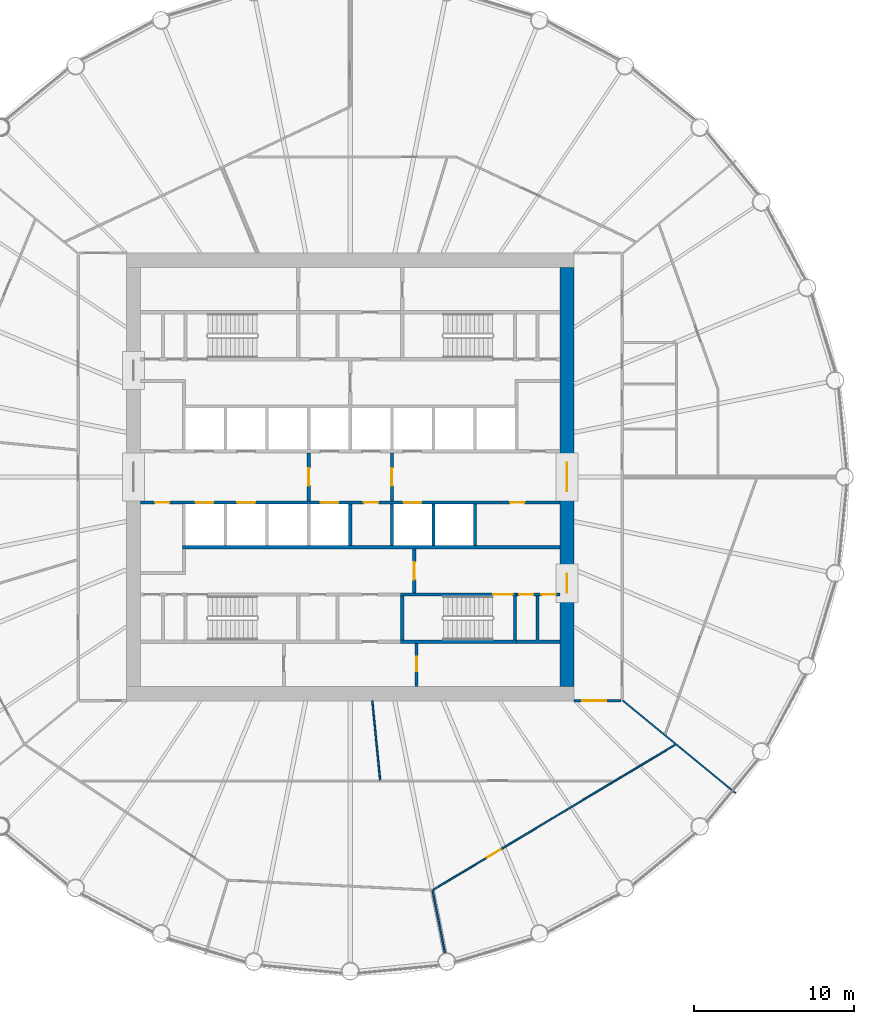
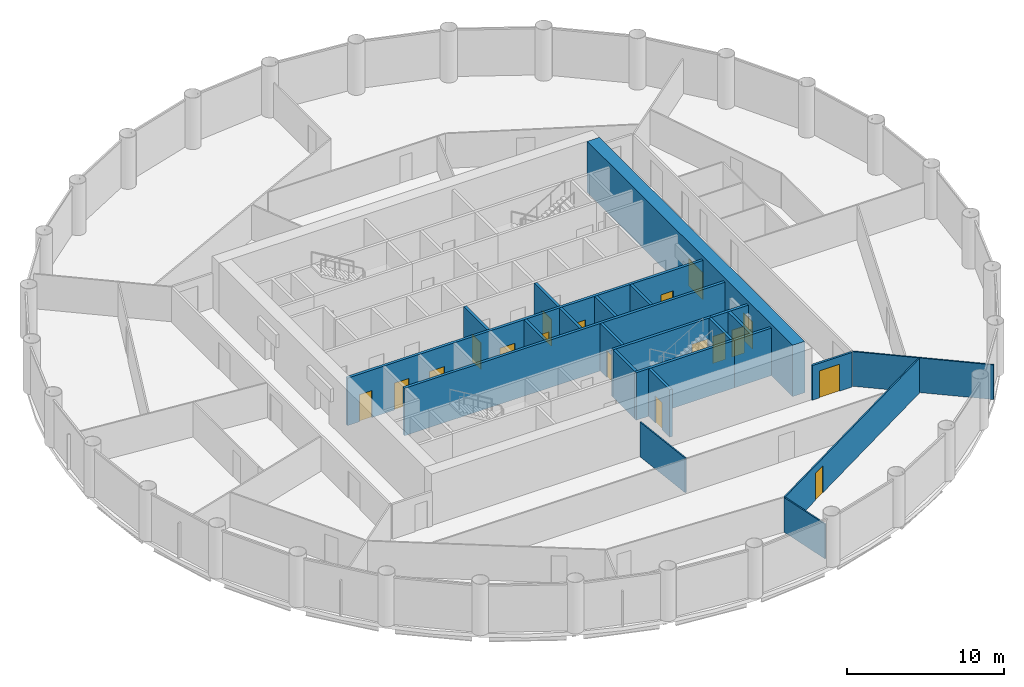
# One storey, part 5 of 9: 22 walls, 18 doors, 18 openings.
"""IFC4 building model written with IfcOpenShell, lengths in metres."""

import ifcopenshell
import ifcopenshell.guid

model = None  # the IFC model being written
_history = None  # IfcOwnerHistory: only IFC2X3 demands one
_inside = {}  # id of a spatial element -> (the spatial element, [elements in it])
_under = {}  # id of a project, library or spatial element -> (it, [spatial elements below it])
_declared = {}  # id of a project -> (the project, [libraries it declares])
_typed = {}  # id of a type object -> (the type object, [elements of that type])
_made_of = {}  # id of a material, layer set ... -> (it, [elements and type objects made of it])


def new_model(schema):
    """Start an empty IFC model of exactly this schema.

    Asked for "IFC4X3", IfcOpenShell would pick the latest addendum, in which some entities
    have other attributes; the version numbers below select the first issue.
    IFC2X3 requires an IfcOwnerHistory on every rooted entity: one is made here for all.
    """
    global model, _history
    if schema == "IFC4X3":
        model = ifcopenshell.file(schema_version=(4, 3, 0, 0))
    else:
        model = ifcopenshell.file(schema=schema)
    _inside.clear()
    _under.clear()
    _declared.clear()
    _typed.clear()
    _made_of.clear()
    _history = None
    if model.schema == "IFC2X3":
        org = make("IfcOrganization", Name="unknown")
        user = make(
            "IfcPersonAndOrganization",
            ThePerson=make("IfcPerson", FamilyName="unknown"),
            TheOrganization=org,
        )
        app = make(
            "IfcApplication",
            ApplicationDeveloper=org,
            Version="unknown",
            ApplicationFullName="unknown",
            ApplicationIdentifier="unknown",
        )
        _history = make(
            "IfcOwnerHistory",
            OwningUser=user,
            OwningApplication=app,
            ChangeAction="ADDED",
            CreationDate=0,
        )
    return model


def make(cls, **values):
    """One entity of the class cls with the attributes given. An attribute that is None is left unset."""
    return model.create_entity(
        cls, **{name: value for name, value in values.items() if value is not None}
    )


def rooted(cls, **values):
    """An entity with a GlobalId (a new one), such as an element, a storey or a relation."""
    return make(cls, GlobalId=ifcopenshell.guid.new(), OwnerHistory=_history, **values)


def si_unit(unit_type, name, prefix=None):
    """IfcSIUnit, for example si_unit("LENGTHUNIT", "METRE", prefix="MILLI")."""
    return make("IfcSIUnit", UnitType=unit_type, Prefix=prefix, Name=name)


def assignment(units):
    """IfcUnitAssignment: the units of a project."""
    return None if units is None else make("IfcUnitAssignment", Units=units)


def point(xyz):
    """IfcCartesianPoint."""
    return None if xyz is None else make("IfcCartesianPoint", Coordinates=xyz)


def direction(xyz):
    """IfcDirection."""
    return None if xyz is None else make("IfcDirection", DirectionRatios=xyz)


def frame(location, z_axis=None, x_axis=None):
    """IfcAxis2Placement3D, a coordinate frame: its origin and axes. An axis left out is left unset."""
    return make(
        "IfcAxis2Placement3D",
        Location=point(location),
        Axis=direction(z_axis),
        RefDirection=direction(x_axis),
    )


def frame_2d(location, x_axis=None):
    """IfcAxis2Placement2D, a coordinate frame in the plane: its origin and x axis."""
    return make(
        "IfcAxis2Placement2D", Location=point(location), RefDirection=direction(x_axis)
    )


def origin():
    """The frame at (0, 0, 0) with its axes left unset."""
    return frame((0.0, 0.0, 0.0))


def place(relative_to, where):
    """IfcLocalPlacement: puts the frame where relative to a parent placement (None: the world)."""
    return make(
        "IfcLocalPlacement", PlacementRelTo=relative_to, RelativePlacement=where
    )


def context(
    kind, dimensions, precision=None, world=None, true_north=None, identifier=None
):
    """IfcGeometricRepresentationContext, for example the 3D "Model" context."""
    return make(
        "IfcGeometricRepresentationContext",
        ContextIdentifier=identifier,
        ContextType=kind,
        CoordinateSpaceDimension=dimensions,
        Precision=precision,
        WorldCoordinateSystem=world,
        TrueNorth=true_north,
    )


def subcontext(parent, identifier, kind, view, scale=None):
    """IfcGeometricRepresentationSubContext, for example "Body" below "Model"."""
    return make(
        "IfcGeometricRepresentationSubContext",
        ContextIdentifier=identifier,
        ContextType=kind,
        ParentContext=parent,
        TargetScale=scale,
        TargetView=view,
    )


def project(units=None, contexts=None):
    """IfcProject with its units and contexts."""
    return rooted(
        "IfcProject",
        Name="project",
        RepresentationContexts=contexts,
        UnitsInContext=assignment(units),
    )


def spatial(cls, under=None, at=None, **own):
    """A site, building, storey or space (cls), placed at a placement, below another one or the project."""
    s = rooted(cls, ObjectPlacement=at, **own)
    if under is not None:
        _under.setdefault(under.id(), (under, []))[1].append(s)
    return s


def polyline(points):
    """IfcPolyline through the points."""
    return make("IfcPolyline", Points=[point(p) for p in points])


def profile(cls, at=None, kind="AREA", **sizes):
    """A parametric profile (cls). Its sizes go by their IFC names, for example OverallWidth=200.0."""
    return make(cls, ProfileType=kind, Position=at, **sizes)


def rectangle(**sizes):
    """IfcRectangleProfileDef."""
    return profile("IfcRectangleProfileDef", **sizes)


def outline(outer, holes=None, kind="AREA"):
    """IfcArbitraryClosedProfileDef: a profile drawn as a closed curve; with holes, ...WithVoids."""
    if holes is None:
        return make("IfcArbitraryClosedProfileDef", ProfileType=kind, OuterCurve=outer)
    return make(
        "IfcArbitraryProfileDefWithVoids",
        ProfileType=kind,
        OuterCurve=outer,
        InnerCurves=holes,
    )


def extrude(swept, where, along, depth):
    """IfcExtrudedAreaSolid: the profile swept, set in the frame where, extruded along a direction by depth."""
    return make(
        "IfcExtrudedAreaSolid",
        SweptArea=swept,
        Position=where,
        ExtrudedDirection=direction(along),
        Depth=depth,
    )


def shape(context_of_items, identifier, shape_type, items):
    """IfcShapeRepresentation: the items that make up one representation, for example the "Body"."""
    return make(
        "IfcShapeRepresentation",
        ContextOfItems=context_of_items,
        RepresentationIdentifier=identifier,
        RepresentationType=shape_type,
        Items=items,
    )


def material(Name=None, Category=None):
    """IfcMaterial."""
    return make("IfcMaterial", Name=Name, Category=Category)


def layer(
    of_material, thickness, ventilated=None, Name=None, Category=None, Priority=None
):
    """IfcMaterialLayer: one layer of a wall or slab, of a material (None: an air gap)."""
    return make(
        "IfcMaterialLayer",
        Material=of_material,
        LayerThickness=thickness,
        IsVentilated=ventilated,
        Name=Name,
        Category=Category,
        Priority=Priority,
    )


def layer_set(layers, Name=None):
    """IfcMaterialLayerSet."""
    return make("IfcMaterialLayerSet", MaterialLayers=layers, LayerSetName=Name)


def made_of(thing, what):
    """Note that an element or type object is made of a material, layer set ...; save() writes the relation."""
    if what is not None:
        _made_of.setdefault(what.id(), (what, []))[1].append(thing)
    return thing


def type_object(cls, material=None, **own):
    """A type object (cls), such as IfcWallType, which elements share."""
    return made_of(rooted(cls, **own), material)


def element(
    cls,
    number,
    at=None,
    inside=None,
    cuts=None,
    type_object=None,
    material=None,
    context=None,
    identifier="Body",
    shape_type=None,
    held_by="IfcProductDefinitionShape",
    body=None,
    shapes=None,
    **own,
):
    """One element of the class cls, such as IfcWall. Its Tag is "e" and its number.

    at: its placement. inside: the storey or other place that contains it. cuts: it is an
    opening in that element (IfcRelVoidsElement). A single representation is given by context,
    identifier, shape_type and body (its items); several are given by shapes. held_by: the class
    of the entity that holds the representations. save() writes the other relations.
    """
    e = rooted(cls, Tag="e%d" % number, ObjectPlacement=at, **own)
    if body is not None:
        shapes = [shape(context, identifier, shape_type, body)]
    if shapes is not None:
        e.Representation = make(held_by, Representations=shapes)
    if inside is not None:
        _inside.setdefault(inside.id(), (inside, []))[1].append(e)
    if cuts is not None:
        rooted(
            "IfcRelVoidsElement", RelatingBuildingElement=cuts, RelatedOpeningElement=e
        )
    if type_object is not None:
        _typed.setdefault(type_object.id(), (type_object, []))[1].append(e)
    return made_of(e, material)


def fill(opening, filler):
    """IfcRelFillsElement: the door or window that sits in an opening."""
    return rooted(
        "IfcRelFillsElement",
        RelatingOpeningElement=opening,
        RelatedBuildingElement=filler,
    )


def aggregate(whole, parts):
    """IfcRelAggregates: a whole, such as a stair, and the parts it consists of."""
    return rooted("IfcRelAggregates", RelatingObject=whole, RelatedObjects=parts)


def save(model, path):
    """Write the relations noted so far, then the file.

    IfcRelAggregates (storeys below a building ...), IfcRelContainedInSpatialStructure (elements
    in a storey), IfcRelDefinesByType, IfcRelAssociatesMaterial and IfcRelDeclares: one each for
    every whole, place, type object, material and project.
    """
    for whole, parts in _under.values():
        aggregate(whole, parts)
    for where, things in _inside.values():
        rooted(
            "IfcRelContainedInSpatialStructure",
            RelatedElements=things,
            RelatingStructure=where,
        )
    for kind, things in _typed.values():
        rooted("IfcRelDefinesByType", RelatedObjects=things, RelatingType=kind)
    for what, things in _made_of.values():
        rooted("IfcRelAssociatesMaterial", RelatedObjects=things, RelatingMaterial=what)
    for by, libraries in _declared.values():
        rooted("IfcRelDeclares", RelatingContext=by, RelatedDefinitions=libraries)
    model.write(path)


model = new_model("IFC4")

# Units and contexts
model_context = context("Model", 3, precision=1e-05, world=origin(), true_north=direction((0.0, 1.0)))
body_context = subcontext(model_context, "Body", "Model", "MODEL_VIEW")
ifc_project = project(units=[si_unit("LENGTHUNIT", "METRE"), si_unit("AREAUNIT", "SQUARE_METRE"), si_unit("VOLUMEUNIT", "CUBIC_METRE"), si_unit("PLANEANGLEUNIT", "RADIAN"), si_unit("MASSUNIT", "GRAM", prefix="KILO")], contexts=[model_context])

# Site, building, storey
site_placement = place(None, origin())
site = spatial("IfcSite", under=ifc_project, at=site_placement, CompositionType="ELEMENT")
building_placement = place(site_placement, origin())
building = spatial("IfcBuilding", under=site, at=building_placement, Name="Corvane Civic Tower", CompositionType="ELEMENT")
storey_placement = place(building_placement, frame((0.0, 0.0, 148.0)))
storey = spatial("IfcBuildingStorey", under=building, at=storey_placement, Name="L34", CompositionType="ELEMENT", Elevation=148.0)

# Wall, openings, doors
ifc_material_1 = material(Name="Concrete C60/75", Category="concrete")
ifc_layer_1 = layer(ifc_material_1, 0.89990234375)
ifc_layer_set_1 = layer_set([ifc_layer_1], Name="Concrete C60/75")
wall_type_1 = type_object("IfcWallType", Name="CORE WALL 900 C60/75", PredefinedType="SHEAR", material=ifc_layer_set_1)
wall_1_placement = place(storey_placement, frame((13.550048828125, -13.10009765625, 0.0), z_axis=(0.0, 0.0, 1.0), x_axis=(0.0, 1.0, 0.0)))
wall_1 = element("IfcWall", 1, at=wall_1_placement, inside=storey, type_object=wall_type_1, Name="W-L34-core-E", PredefinedType="SHEAR", context=body_context, shape_type="SweptSolid", body=[
    extrude(rectangle(XDim=26.2001953125, YDim=0.89990234375, at=frame_2d((13.10009765625, 0.0))), origin(), (0.0, 0.0, 1.0), 4.0),
])
opening_1_placement = place(wall_1_placement, frame((12.199951171875, 0.0, 0.0)))
opening_1 = element("IfcOpeningElement", 2, at=opening_1_placement, cuts=wall_1, Name="Opening L34.C33", PredefinedType="OPENING", context=body_context, shape_type="SweptSolid", body=[
    extrude(rectangle(XDim=1.800048828125, YDim=2.10009765625, at=frame_2d((0.89990234375, 1.050048828125))), frame((0.0, 0.4599609375, 0.0), z_axis=(0.0, -1.0, 0.0), x_axis=(1.0, 0.0, 0.0)), (0.0, 0.0, 1.0), 0.919921875),
])
opening_2_placement = place(wall_1_placement, frame((5.85009765625, 0.0, 0.0)))
opening_2 = element("IfcOpeningElement", 3, at=opening_2_placement, cuts=wall_1, Name="Opening L34.C35", PredefinedType="OPENING", context=body_context, shape_type="SweptSolid", body=[
    extrude(rectangle(XDim=1.199951171875, YDim=2.10009765625, at=frame_2d((0.60009765625, 1.050048828125))), frame((0.0, 0.4599609375, 0.0), z_axis=(0.0, -1.0, 0.0), x_axis=(1.0, 0.0, 0.0)), (0.0, 0.0, 1.0), 0.919921875),
])
ifc_material_2 = material(Name="Steel fire door leaf", Category="steel")
door_type_1 = type_object("IfcDoorType", Name="CR-DOOR-CORE-1800", OperationType="DOUBLE_DOOR_SINGLE_SWING", PredefinedType="DOOR", material=ifc_material_2)
door_1_placement = place(opening_1_placement, origin())
door_1 = element("IfcDoor", 4, at=door_1_placement, inside=storey, type_object=door_type_1, Name="L34 door", OperationType="DOUBLE_DOOR_SINGLE_SWING", OverallHeight=2.10009765625, OverallWidth=1.800048828125, PredefinedType="DOOR", context=body_context, shape_type="SweptSolid", body=[
    extrude(rectangle(XDim=1.800048828125, YDim=2.10009765625, at=frame_2d((0.89990234375, 1.050048828125))), frame((0.0, 0.02490234375, 0.0), z_axis=(0.0, -1.0, 0.0), x_axis=(1.0, 0.0, 0.0)), (0.0, 0.0, 1.0), 0.050048828125),
])
fill(opening_1, door_1)
door_2_placement = place(opening_2_placement, origin())
door_2 = element("IfcDoor", 5, at=door_2_placement, inside=storey, type_object=door_type_1, Name="L34 door", OperationType="DOUBLE_DOOR_SINGLE_SWING", OverallHeight=2.10009765625, OverallWidth=1.199951171875, PredefinedType="DOOR", context=body_context, shape_type="SweptSolid", body=[
    extrude(rectangle(XDim=1.199951171875, YDim=2.10009765625, at=frame_2d((0.60009765625, 1.050048828125))), frame((0.0, 0.02490234375, 0.0), z_axis=(0.0, -1.0, 0.0), x_axis=(1.0, 0.0, 0.0)), (0.0, 0.0, 1.0), 0.050048828125),
])
fill(opening_2, door_2)

ifc_material_3 = material(Name="Concrete C30/37", Category="concrete")
ifc_layer_2 = layer(ifc_material_3, 0.199951171875)
ifc_layer_set_2 = layer_set([ifc_layer_2], Name="Concrete C30/37")
wall_type_2 = type_object("IfcWallType", Name="CR-WALL-200", PredefinedType="PARTITIONING", material=ifc_layer_set_2)
wall_2_placement = place(storey_placement, frame((10.39990234375, -7.35009765625, 0.0), z_axis=(0.0, 0.0, 1.0), x_axis=(1.0, 0.0, 0.0)))
wall_2 = element("IfcWall", 6, at=wall_2_placement, inside=storey, type_object=wall_type_2, Name="L34 core partition wall", PredefinedType="PARTITIONING", context=body_context, shape_type="SweptSolid", body=[
    extrude(rectangle(XDim=2.7001953125, YDim=0.199951171875, at=frame_2d((1.35009765625, 0.0))), origin(), (0.0, 0.0, 1.0), 3.699951171875),
])
opening_3_placement = place(wall_2_placement, frame((0.14990234375, 0.0, 0.0)))
opening_3 = element("IfcOpeningElement", 7, at=opening_3_placement, cuts=wall_2, Name="Opening L34.C22", PredefinedType="OPENING", context=body_context, shape_type="SweptSolid", body=[
    extrude(rectangle(XDim=0.89990234375, YDim=2.10009765625, at=frame_2d((0.449951171875, 1.050048828125))), frame((0.0, 0.10986328125, 0.0), z_axis=(0.0, -1.0, 0.0), x_axis=(1.0, 0.0, 0.0)), (0.0, 0.0, 1.0), 0.219970703125),
])
opening_4_placement = place(wall_2_placement, frame((1.550048828125, 0.0, 0.0)))
opening_4 = element("IfcOpeningElement", 8, at=opening_4_placement, cuts=wall_2, Name="Opening L34.C23", PredefinedType="OPENING", context=body_context, shape_type="SweptSolid", body=[
    extrude(rectangle(XDim=0.89990234375, YDim=2.10009765625, at=frame_2d((0.449951171875, 1.050048828125))), frame((0.0, 0.10986328125, 0.0), z_axis=(0.0, -1.0, 0.0), x_axis=(1.0, 0.0, 0.0)), (0.0, 0.0, 1.0), 0.219970703125),
])
ifc_material_4 = material(Name="Steel fire door leaf", Category="steel")
door_type_2 = type_object("IfcDoorType", Name="CR-DOOR-900", OperationType="SINGLE_SWING_LEFT", PredefinedType="DOOR", material=ifc_material_4)
door_3_placement = place(opening_3_placement, origin())
door_3 = element("IfcDoor", 9, at=door_3_placement, inside=storey, type_object=door_type_2, Name="L34 door", OperationType="SINGLE_SWING_LEFT", OverallHeight=2.10009765625, OverallWidth=0.89990234375, PredefinedType="DOOR", context=body_context, shape_type="SweptSolid", body=[
    extrude(rectangle(XDim=0.89990234375, YDim=2.10009765625, at=frame_2d((0.449951171875, 1.050048828125))), frame((0.0, 0.02490234375, 0.0), z_axis=(0.0, -1.0, 0.0), x_axis=(1.0, 0.0, 0.0)), (0.0, 0.0, 1.0), 0.050048828125),
])
fill(opening_3, door_3)
door_4_placement = place(opening_4_placement, origin())
door_4 = element("IfcDoor", 10, at=door_4_placement, inside=storey, type_object=door_type_2, Name="L34 door", OperationType="SINGLE_SWING_LEFT", OverallHeight=2.10009765625, OverallWidth=0.89990234375, PredefinedType="DOOR", context=body_context, shape_type="SweptSolid", body=[
    extrude(rectangle(XDim=0.89990234375, YDim=2.10009765625, at=frame_2d((0.449951171875, 1.050048828125))), frame((0.0, 0.02490234375, 0.0), z_axis=(0.0, -1.0, 0.0), x_axis=(1.0, 0.0, 0.0)), (0.0, 0.0, 1.0), 0.050048828125),
])
fill(opening_4, door_4)

wall_3_placement = place(storey_placement, frame((-13.10009765625, -1.60009765625, 0.0), z_axis=(0.0, 0.0, 1.0), x_axis=(1.0, 0.0, 0.0)))
wall_3 = element("IfcWall", 11, at=wall_3_placement, inside=storey, type_object=wall_type_2, Name="L34 lift shaft wall", PredefinedType="PARTITIONING", context=body_context, shape_type="SweptSolid", body=[
    extrude(rectangle(XDim=26.2001953125, YDim=0.199951171875, at=frame_2d((13.10009765625, 0.0))), origin(), (0.0, 0.0, 1.0), 3.699951171875),
])
opening_5_placement = place(wall_3_placement, frame((3.449951171875, 0.0, 0.0)))
opening_5 = element("IfcOpeningElement", 12, at=opening_5_placement, cuts=wall_3, Name="Opening LD", PredefinedType="OPENING", context=body_context, shape_type="SweptSolid", body=[
    extrude(rectangle(XDim=1.10009765625, YDim=2.10009765625, at=frame_2d((0.550048828125, 1.050048828125))), frame((0.0, 0.10986328125, 0.0), z_axis=(0.0, -1.0, 0.0), x_axis=(1.0, 0.0, 0.0)), (0.0, 0.0, 1.0), 0.219970703125),
])
opening_6_placement = place(wall_3_placement, frame((6.050048828125, 0.0, 0.0)))
opening_6 = element("IfcOpeningElement", 13, at=opening_6_placement, cuts=wall_3, Name="Opening LD", PredefinedType="OPENING", context=body_context, shape_type="SweptSolid", body=[
    extrude(rectangle(XDim=1.10009765625, YDim=2.10009765625, at=frame_2d((0.550048828125, 1.050048828125))), frame((0.0, 0.10986328125, 0.0), z_axis=(0.0, -1.0, 0.0), x_axis=(1.0, 0.0, 0.0)), (0.0, 0.0, 1.0), 0.219970703125),
])
opening_7_placement = place(wall_3_placement, frame((11.25, 0.0, 0.0)))
opening_7 = element("IfcOpeningElement", 14, at=opening_7_placement, cuts=wall_3, Name="Opening LD", PredefinedType="OPENING", context=body_context, shape_type="SweptSolid", body=[
    extrude(rectangle(XDim=1.10009765625, YDim=2.10009765625, at=frame_2d((0.550048828125, 1.050048828125))), frame((0.0, 0.10986328125, 0.0), z_axis=(0.0, -1.0, 0.0), x_axis=(1.0, 0.0, 0.0)), (0.0, 0.0, 1.0), 0.219970703125),
])
opening_8_placement = place(wall_3_placement, frame((13.949951171875, 0.0, 0.0)))
opening_8 = element("IfcOpeningElement", 15, at=opening_8_placement, cuts=wall_3, Name="Opening L34.C03", PredefinedType="OPENING", context=body_context, shape_type="SweptSolid", body=[
    extrude(rectangle(XDim=0.89990234375, YDim=2.10009765625, at=frame_2d((0.449951171875, 1.050048828125))), frame((0.0, 0.10986328125, 0.0), z_axis=(0.0, -1.0, 0.0), x_axis=(1.0, 0.0, 0.0)), (0.0, 0.0, 1.0), 0.219970703125),
])
opening_9_placement = place(wall_3_placement, frame((16.449951171875, 0.0, 0.0)))
opening_9 = element("IfcOpeningElement", 16, at=opening_9_placement, cuts=wall_3, Name="Opening LD", PredefinedType="OPENING", context=body_context, shape_type="SweptSolid", body=[
    extrude(rectangle(XDim=1.10009765625, YDim=2.10009765625, at=frame_2d((0.550048828125, 1.050048828125))), frame((0.0, 0.10986328125, 0.0), z_axis=(0.0, -1.0, 0.0), x_axis=(1.0, 0.0, 0.0)), (0.0, 0.0, 1.0), 0.219970703125),
])
opening_10_placement = place(wall_3_placement, frame((0.89990234375, 0.0, 0.0)))
opening_10 = element("IfcOpeningElement", 17, at=opening_10_placement, cuts=wall_3, Name="Opening L34.C04", PredefinedType="OPENING", context=body_context, shape_type="SweptSolid", body=[
    extrude(rectangle(XDim=0.89990234375, YDim=2.10009765625, at=frame_2d((0.449951171875, 1.050048828125))), frame((0.0, 0.10986328125, 0.0), z_axis=(0.0, -1.0, 0.0), x_axis=(1.0, 0.0, 0.0)), (0.0, 0.0, 1.0), 0.219970703125),
])
opening_11_placement = place(wall_3_placement, frame((23.10009765625, 0.0, 0.0)))
opening_11 = element("IfcOpeningElement", 18, at=opening_11_placement, cuts=wall_3, Name="Opening L34.C05", PredefinedType="OPENING", context=body_context, shape_type="SweptSolid", body=[
    extrude(rectangle(XDim=0.89990234375, YDim=2.10009765625, at=frame_2d((0.449951171875, 1.050048828125))), frame((0.0, 0.10986328125, 0.0), z_axis=(0.0, -1.0, 0.0), x_axis=(1.0, 0.0, 0.0)), (0.0, 0.0, 1.0), 0.219970703125),
])
door_5_placement = place(opening_8_placement, origin())
door_5 = element("IfcDoor", 19, at=door_5_placement, inside=storey, type_object=door_type_2, Name="L34 door", OperationType="SINGLE_SWING_LEFT", OverallHeight=2.10009765625, OverallWidth=0.89990234375, PredefinedType="DOOR", context=body_context, shape_type="SweptSolid", body=[
    extrude(rectangle(XDim=0.89990234375, YDim=2.10009765625, at=frame_2d((0.449951171875, 1.050048828125))), frame((0.0, 0.02490234375, 0.0), z_axis=(0.0, -1.0, 0.0), x_axis=(1.0, 0.0, 0.0)), (0.0, 0.0, 1.0), 0.050048828125),
])
fill(opening_8, door_5)
door_6_placement = place(opening_10_placement, origin())
door_6 = element("IfcDoor", 20, at=door_6_placement, inside=storey, type_object=door_type_2, Name="L34 door", OperationType="SINGLE_SWING_LEFT", OverallHeight=2.10009765625, OverallWidth=0.89990234375, PredefinedType="DOOR", context=body_context, shape_type="SweptSolid", body=[
    extrude(rectangle(XDim=0.89990234375, YDim=2.10009765625, at=frame_2d((0.449951171875, 1.050048828125))), frame((0.0, 0.02490234375, 0.0), z_axis=(0.0, -1.0, 0.0), x_axis=(1.0, 0.0, 0.0)), (0.0, 0.0, 1.0), 0.050048828125),
])
fill(opening_10, door_6)
door_7_placement = place(opening_11_placement, origin())
door_7 = element("IfcDoor", 21, at=door_7_placement, inside=storey, type_object=door_type_2, Name="L34 door", OperationType="SINGLE_SWING_LEFT", OverallHeight=2.10009765625, OverallWidth=0.89990234375, PredefinedType="DOOR", context=body_context, shape_type="SweptSolid", body=[
    extrude(rectangle(XDim=0.89990234375, YDim=2.10009765625, at=frame_2d((0.449951171875, 1.050048828125))), frame((0.0, 0.02490234375, 0.0), z_axis=(0.0, -1.0, 0.0), x_axis=(1.0, 0.0, 0.0)), (0.0, 0.0, 1.0), 0.050048828125),
])
fill(opening_11, door_7)
ifc_material_5 = material(Name="Stainless steel 316 door leaves", Category="steel")
door_type_3 = type_object("IfcDoorType", Name="LD", OperationType="DOUBLE_DOOR_SLIDING", PredefinedType="DOOR", material=ifc_material_5)
door_8_placement = place(opening_5_placement, origin())
door_8 = element("IfcDoor", 22, at=door_8_placement, inside=storey, type_object=door_type_3, Name="L34 landing door", OperationType="DOUBLE_DOOR_SLIDING", OverallHeight=2.10009765625, OverallWidth=1.10009765625, PredefinedType="DOOR", context=body_context, shape_type="SweptSolid", body=[
    extrude(rectangle(XDim=1.10009765625, YDim=2.10009765625, at=frame_2d((0.550048828125, 1.050048828125))), frame((0.0, 0.02490234375, 0.0), z_axis=(0.0, -1.0, 0.0), x_axis=(1.0, 0.0, 0.0)), (0.0, 0.0, 1.0), 0.050048828125),
])
fill(opening_5, door_8)
door_9_placement = place(opening_6_placement, origin())
door_9 = element("IfcDoor", 23, at=door_9_placement, inside=storey, type_object=door_type_3, Name="L34 landing door", OperationType="DOUBLE_DOOR_SLIDING", OverallHeight=2.10009765625, OverallWidth=1.10009765625, PredefinedType="DOOR", context=body_context, shape_type="SweptSolid", body=[
    extrude(rectangle(XDim=1.10009765625, YDim=2.10009765625, at=frame_2d((0.550048828125, 1.050048828125))), frame((0.0, 0.02490234375, 0.0), z_axis=(0.0, -1.0, 0.0), x_axis=(1.0, 0.0, 0.0)), (0.0, 0.0, 1.0), 0.050048828125),
])
fill(opening_6, door_9)
door_10_placement = place(opening_7_placement, origin())
door_10 = element("IfcDoor", 24, at=door_10_placement, inside=storey, type_object=door_type_3, Name="L34 landing door", OperationType="DOUBLE_DOOR_SLIDING", OverallHeight=2.10009765625, OverallWidth=1.10009765625, PredefinedType="DOOR", context=body_context, shape_type="SweptSolid", body=[
    extrude(rectangle(XDim=1.10009765625, YDim=2.10009765625, at=frame_2d((0.550048828125, 1.050048828125))), frame((0.0, 0.02490234375, 0.0), z_axis=(0.0, -1.0, 0.0), x_axis=(1.0, 0.0, 0.0)), (0.0, 0.0, 1.0), 0.050048828125),
])
fill(opening_7, door_10)
door_11_placement = place(opening_9_placement, origin())
door_11 = element("IfcDoor", 25, at=door_11_placement, inside=storey, type_object=door_type_3, Name="L34 landing door", OperationType="DOUBLE_DOOR_SLIDING", OverallHeight=2.10009765625, OverallWidth=1.10009765625, PredefinedType="DOOR", context=body_context, shape_type="SweptSolid", body=[
    extrude(rectangle(XDim=1.10009765625, YDim=2.10009765625, at=frame_2d((0.550048828125, 1.050048828125))), frame((0.0, 0.02490234375, 0.0), z_axis=(0.0, -1.0, 0.0), x_axis=(1.0, 0.0, 0.0)), (0.0, 0.0, 1.0), 0.050048828125),
])
fill(opening_9, door_11)

# Wall, opening, door
wall_4_placement = place(storey_placement, frame((-2.60009765625, -1.5, 0.0), z_axis=(0.0, 0.0, 1.0), x_axis=(0.0, 1.0, 0.0)))
wall_4 = element("IfcWall", 26, at=wall_4_placement, inside=storey, type_object=wall_type_2, Name="L34 firefighting lobby wall", PredefinedType="PARTITIONING", context=body_context, shape_type="SweptSolid", body=[
    extrude(rectangle(XDim=3.0, YDim=0.199951171875, at=frame_2d((1.5, 0.0))), origin(), (0.0, 0.0, 1.0), 3.699951171875),
])
opening_12_placement = place(wall_4_placement, frame((0.949951171875, 0.0, 0.0)))
opening_12 = element("IfcOpeningElement", 27, at=opening_12_placement, cuts=wall_4, Name="Opening L34.C28", PredefinedType="OPENING", context=body_context, shape_type="SweptSolid", body=[
    extrude(rectangle(XDim=1.10009765625, YDim=2.10009765625, at=frame_2d((0.550048828125, 1.050048828125))), frame((0.0, 0.10986328125, 0.0), z_axis=(0.0, -1.0, 0.0), x_axis=(1.0, 0.0, 0.0)), (0.0, 0.0, 1.0), 0.219970703125),
])
ifc_material_6 = material(Name="Steel fire door leaf", Category="steel")
door_type_4 = type_object("IfcDoorType", Name="CR-DOOR-FFL-1100", OperationType="SINGLE_SWING_LEFT", PredefinedType="DOOR", material=ifc_material_6)
door_12_placement = place(opening_12_placement, origin())
door_12 = element("IfcDoor", 28, at=door_12_placement, inside=storey, type_object=door_type_4, Name="L34 lobby door", OperationType="SINGLE_SWING_LEFT", OverallHeight=2.10009765625, OverallWidth=1.10009765625, PredefinedType="DOOR", context=body_context, shape_type="SweptSolid", body=[
    extrude(rectangle(XDim=1.10009765625, YDim=2.10009765625, at=frame_2d((0.550048828125, 1.050048828125))), frame((0.0, 0.02490234375, 0.0), z_axis=(0.0, -1.0, 0.0), x_axis=(1.0, 0.0, 0.0)), (0.0, 0.0, 1.0), 0.050048828125),
])
fill(opening_12, door_12)

wall_5_placement = place(storey_placement, frame((2.60009765625, -1.5, 0.0), z_axis=(0.0, 0.0, 1.0), x_axis=(0.0, 1.0, 0.0)))
wall_5 = element("IfcWall", 29, at=wall_5_placement, inside=storey, type_object=wall_type_2, Name="L34 firefighting lobby wall", PredefinedType="PARTITIONING", context=body_context, shape_type="SweptSolid", body=[
    extrude(rectangle(XDim=3.0, YDim=0.199951171875, at=frame_2d((1.5, 0.0))), origin(), (0.0, 0.0, 1.0), 3.699951171875),
])
opening_13_placement = place(wall_5_placement, frame((0.949951171875, 0.0, 0.0)))
opening_13 = element("IfcOpeningElement", 30, at=opening_13_placement, cuts=wall_5, Name="Opening L34.C29", PredefinedType="OPENING", context=body_context, shape_type="SweptSolid", body=[
    extrude(rectangle(XDim=1.10009765625, YDim=2.10009765625, at=frame_2d((0.550048828125, 1.050048828125))), frame((0.0, 0.10986328125, 0.0), z_axis=(0.0, -1.0, 0.0), x_axis=(1.0, 0.0, 0.0)), (0.0, 0.0, 1.0), 0.219970703125),
])
door_13_placement = place(opening_13_placement, origin())
door_13 = element("IfcDoor", 31, at=door_13_placement, inside=storey, type_object=door_type_4, Name="L34 lobby door", OperationType="SINGLE_SWING_LEFT", OverallHeight=2.10009765625, OverallWidth=1.10009765625, PredefinedType="DOOR", context=body_context, shape_type="SweptSolid", body=[
    extrude(rectangle(XDim=1.10009765625, YDim=2.10009765625, at=frame_2d((0.550048828125, 1.050048828125))), frame((0.0, 0.02490234375, 0.0), z_axis=(0.0, -1.0, 0.0), x_axis=(1.0, 0.0, 0.0)), (0.0, 0.0, 1.0), 0.050048828125),
])
fill(opening_13, door_13)

wall_6_placement = place(storey_placement, frame((4.0, -7.25, 0.0), z_axis=(0.0, 0.0, 1.0), x_axis=(0.0, 1.0, 0.0)))
wall_6 = element("IfcWall", 32, at=wall_6_placement, inside=storey, type_object=wall_type_2, Name="L34 core partition wall", PredefinedType="PARTITIONING", context=body_context, shape_type="SweptSolid", body=[
    extrude(rectangle(XDim=2.75, YDim=0.199951171875, at=frame_2d((1.375, 0.0))), origin(), (0.0, 0.0, 1.0), 3.699951171875),
])
opening_14_placement = place(wall_6_placement, frame((0.824951171875, 0.0, 0.0)))
opening_14 = element("IfcOpeningElement", 33, at=opening_14_placement, cuts=wall_6, Name="Opening L34.C31", PredefinedType="OPENING", context=body_context, shape_type="SweptSolid", body=[
    extrude(rectangle(XDim=1.10009765625, YDim=2.10009765625, at=frame_2d((0.550048828125, 1.050048828125))), frame((0.0, 0.10986328125, 0.0), z_axis=(0.0, -1.0, 0.0), x_axis=(1.0, 0.0, 0.0)), (0.0, 0.0, 1.0), 0.219970703125),
])
door_14_placement = place(opening_14_placement, origin())
door_14 = element("IfcDoor", 34, at=door_14_placement, inside=storey, type_object=door_type_4, Name="L34 lobby door", OperationType="SINGLE_SWING_LEFT", OverallHeight=2.10009765625, OverallWidth=1.10009765625, PredefinedType="DOOR", context=body_context, shape_type="SweptSolid", body=[
    extrude(rectangle(XDim=1.10009765625, YDim=2.10009765625, at=frame_2d((0.550048828125, 1.050048828125))), frame((0.0, 0.02490234375, 0.0), z_axis=(0.0, -1.0, 0.0), x_axis=(1.0, 0.0, 0.0)), (0.0, 0.0, 1.0), 0.050048828125),
])
fill(opening_14, door_14)

wall_7_placement = place(storey_placement, frame((4.14990234375, -13.10009765625, 0.0), z_axis=(0.0, 0.0, 1.0), x_axis=(0.0, 1.0, 0.0)))
wall_7 = element("IfcWall", 35, at=wall_7_placement, inside=storey, type_object=wall_type_2, Name="L34 partition wall", PredefinedType="PARTITIONING", context=body_context, shape_type="SweptSolid", body=[
    extrude(rectangle(XDim=2.7001953125, YDim=0.199951171875, at=frame_2d((1.35009765625, 0.0))), origin(), (0.0, 0.0, 1.0), 3.699951171875),
])
opening_15_placement = place(wall_7_placement, frame((0.949951171875, 0.0, 0.0)))
opening_15 = element("IfcOpeningElement", 36, at=opening_15_placement, cuts=wall_7, Name="Opening L34.C15", PredefinedType="OPENING", context=body_context, shape_type="SweptSolid", body=[
    extrude(rectangle(XDim=0.89990234375, YDim=2.10009765625, at=frame_2d((0.449951171875, 1.050048828125))), frame((0.0, 0.10986328125, 0.0), z_axis=(0.0, -1.0, 0.0), x_axis=(1.0, 0.0, 0.0)), (0.0, 0.0, 1.0), 0.219970703125),
])
door_15_placement = place(opening_15_placement, origin())
door_15 = element("IfcDoor", 37, at=door_15_placement, inside=storey, type_object=door_type_2, Name="L34 door", OperationType="SINGLE_SWING_LEFT", OverallHeight=2.10009765625, OverallWidth=0.89990234375, PredefinedType="DOOR", context=body_context, shape_type="SweptSolid", body=[
    extrude(rectangle(XDim=0.89990234375, YDim=2.10009765625, at=frame_2d((0.449951171875, 1.050048828125))), frame((0.0, 0.02490234375, 0.0), z_axis=(0.0, -1.0, 0.0), x_axis=(1.0, 0.0, 0.0)), (0.0, 0.0, 1.0), 0.050048828125),
])
fill(opening_15, door_15)

# Walls
wall_8_placement = place(storey_placement, origin())
element("IfcWall", 38, at=wall_8_placement, inside=storey, type_object=wall_type_2, Name="L34 core partition wall", PredefinedType="PARTITIONING", context=body_context, shape_type="SweptSolid", body=[
    extrude(outline(polyline([(13.10009765625, -4.300048828125), (13.10009765625, -4.5), (-10.5, -4.5), (-10.5, -4.300048828125), (13.10009765625, -4.300048828125)])), origin(), (0.0, 0.0, 1.0), 3.699951171875),
])
wall_9_placement = place(storey_placement, origin())
element("IfcWall", 39, at=wall_9_placement, inside=storey, type_object=wall_type_2, Name="L34 core partition wall", PredefinedType="PARTITIONING", context=body_context, shape_type="SweptSolid", body=[
    extrude(outline(polyline([(2.699951171875, -1.699951171875), (2.699951171875, -4.2998046875), (2.5, -4.2998046875), (2.5, -1.699951171875), (2.699951171875, -1.699951171875)])), origin(), (0.0, 0.0, 1.0), 3.699951171875),
])
wall_10_placement = place(storey_placement, origin())
element("IfcWall", 40, at=wall_10_placement, inside=storey, type_object=wall_type_2, Name="L34 core partition wall", PredefinedType="PARTITIONING", context=body_context, shape_type="SweptSolid", body=[
    extrude(outline(polyline([(0.10009765625, -1.699951171875), (0.10009765625, -4.2998046875), (-0.10009765625, -4.2998046875), (-0.10009765625, -1.699951171875), (0.10009765625, -1.699951171875)])), origin(), (0.0, 0.0, 1.0), 3.699951171875),
])
wall_11_placement = place(storey_placement, origin())
element("IfcWall", 41, at=wall_11_placement, inside=storey, type_object=wall_type_2, Name="L34 core partition wall", PredefinedType="PARTITIONING", context=body_context, shape_type="SweptSolid", body=[
    extrude(outline(polyline([(5.300048828125, -1.699951171875), (5.300048828125, -4.2998046875), (5.10009765625, -4.2998046875), (5.10009765625, -1.699951171875), (5.300048828125, -1.699951171875)])), origin(), (0.0, 0.0, 1.0), 3.699951171875),
])
wall_12_placement = place(storey_placement, origin())
element("IfcWall", 42, at=wall_12_placement, inside=storey, type_object=wall_type_2, Name="L34 core partition wall", PredefinedType="PARTITIONING", context=body_context, shape_type="SweptSolid", body=[
    extrude(outline(polyline([(7.89990234375, -1.699951171875), (7.89990234375, -4.2998046875), (7.699951171875, -4.2998046875), (7.699951171875, -1.699951171875), (7.89990234375, -1.699951171875)])), origin(), (0.0, 0.0, 1.0), 3.699951171875),
])
wall_13_placement = place(storey_placement, origin())
element("IfcWall", 43, at=wall_13_placement, inside=storey, type_object=wall_type_2, Name="L34 core partition wall", PredefinedType="PARTITIONING", context=body_context, shape_type="SweptSolid", body=[
    extrude(outline(polyline([(11.800048828125, -7.449951171875), (11.800048828125, -10.199951171875), (13.10009765625, -10.199951171875), (13.10009765625, -10.39990234375), (10.39990234375, -10.39990234375), (10.39990234375, -10.199951171875), (11.60009765625, -10.199951171875), (11.60009765625, -7.449951171875), (11.800048828125, -7.449951171875)])), origin(), (0.0, 0.0, 1.0), 3.699951171875),
])
ifc_material_7 = material(Name="Plasterboard")
ifc_layer_3 = layer(ifc_material_7, 0.10009765625)
ifc_layer_set_3 = layer_set([ifc_layer_3], Name="Plasterboard")
wall_type_3 = type_object("IfcWallType", Name="Partition 100 plasterboard on studs", PredefinedType="PARTITIONING", material=ifc_layer_set_3)
wall_14_placement = place(storey_placement, frame((5.147216796875, -25.87646484375, 0.0), z_axis=(0.0, 0.0, 1.0), x_axis=(0.195059860503, -0.980791339083, 0.0)))
element("IfcWall", 44, at=wall_14_placement, inside=storey, type_object=wall_type_3, Name="Partition L34.002", PredefinedType="PARTITIONING", context=body_context, shape_type="SweptSolid", body=[
    extrude(rectangle(XDim=3.956298828125, YDim=0.10009765625, at=frame_2d((1.97802734375, 0.0))), origin(), (0.0, 0.0, 1.0), 2.699951171875),
])

# Wall, opening, door
wall_15_placement = place(storey_placement, frame((5.169677734375, -25.820068359375, 0.0), z_axis=(0.0, 0.0, 1.0), x_axis=(0.857733349265, 0.514094837126, 0.0)))
wall_15 = element("IfcWall", 45, at=wall_15_placement, inside=storey, type_object=wall_type_3, Name="Partition L34.004", PredefinedType="PARTITIONING", context=body_context, shape_type="SweptSolid", body=[
    extrude(rectangle(XDim=17.644287109375, YDim=0.10009765625, at=frame_2d((8.822265625, 0.0))), origin(), (0.0, 0.0, 1.0), 2.699951171875),
])
opening_16_placement = place(wall_15_placement, frame((3.93896484375, 0.0, 0.0)))
opening_16 = element("IfcOpeningElement", 46, at=opening_16_placement, cuts=wall_15, Name="Opening L34.006", PredefinedType="OPENING", context=body_context, shape_type="SweptSolid", body=[
    extrude(rectangle(XDim=1.0, YDim=2.10009765625, at=frame_2d((0.5, 1.050048828125))), frame((0.0, 0.06005859375, 0.0), z_axis=(0.0, -1.0, 0.0), x_axis=(1.0, 0.0, 0.0)), (0.0, 0.0, 1.0), 0.1201171875),
])
ifc_material_8 = material(Name="Timber", Category="wood")
door_type_5 = type_object("IfcDoorType", Name="Single door 1000", OperationType="NOTDEFINED", PredefinedType="DOOR", material=ifc_material_8)
door_16_placement = place(opening_16_placement, frame((1.0, 0.0, 0.0), z_axis=(0.0, 0.0, 1.0), x_axis=(-1.0, 0.0, 0.0)))
door_16 = element("IfcDoor", 47, at=door_16_placement, inside=storey, type_object=door_type_5, Name="Door L34.006", OperationType="SINGLE_SWING_LEFT", OverallHeight=2.10009765625, OverallWidth=1.0, PredefinedType="DOOR", context=body_context, shape_type="SweptSolid", body=[
    extrude(rectangle(XDim=1.0, YDim=2.10009765625, at=frame_2d((0.5, 1.050048828125))), frame((0.0, 0.02490234375, 0.0), z_axis=(0.0, -1.0, 0.0), x_axis=(1.0, 0.0, 0.0)), (0.0, 0.0, 1.0), 0.050048828125),
])
fill(opening_16, door_16)

# Walls
wall_16_placement = place(storey_placement, frame((17.018310546875, -13.966552734375, 0.0), z_axis=(0.0, 0.0, 1.0), x_axis=(0.773006154143, -0.634398522742, 0.0)))
element("IfcWall", 48, at=wall_16_placement, inside=storey, type_object=wall_type_3, Name="Partition L34.007", PredefinedType="PARTITIONING", context=body_context, shape_type="SweptSolid", body=[
    extrude(rectangle(XDim=9.134521484375, YDim=0.10009765625, at=frame_2d((4.5673828125, 0.0))), origin(), (0.0, 0.0, 1.0), 2.699951171875),
])
wall_17_placement = place(storey_placement, frame((1.37890625, -14.0, 0.0), z_axis=(0.0, 0.0, 1.0), x_axis=(0.098019895744, -0.995184455284, 0.0)))
element("IfcWall", 49, at=wall_17_placement, inside=storey, type_object=wall_type_3, Name="Partition L34.009", PredefinedType="PARTITIONING", context=body_context, shape_type="SweptSolid", body=[
    extrude(rectangle(XDim=4.968994140625, YDim=0.10009765625, at=frame_2d((2.484375, 0.0))), origin(), (0.0, 0.0, 1.0), 2.699951171875),
])

# Wall, opening, door
ifc_material_9 = material(Name="Concrete C50/60", Category="concrete")
ifc_layer_4 = layer(ifc_material_9, 0.199951171875)
ifc_layer_set_4 = layer_set([ifc_layer_4], Name="Concrete C50/60")
wall_type_4 = type_object("IfcWallType", Name="ST-WALL-200", PredefinedType="SHEAR", material=ifc_layer_set_4)
wall_18_placement = place(storey_placement, frame((3.14990234375, -7.35009765625, 0.0), z_axis=(0.0, 0.0, 1.0), x_axis=(1.0, 0.0, 0.0)))
wall_18 = element("IfcWall", 50, at=wall_18_placement, inside=storey, type_object=wall_type_4, Name="L34 stair enclosure wall", PredefinedType="SHEAR", context=body_context, shape_type="SweptSolid", body=[
    extrude(rectangle(XDim=7.25, YDim=0.199951171875, at=frame_2d((3.625, 0.0))), origin(), (0.0, 0.0, 1.0), 3.699951171875),
])
opening_17_placement = place(wall_18_placement, frame((5.800048828125, 0.0, 0.0)))
opening_17 = element("IfcOpeningElement", 51, at=opening_17_placement, cuts=wall_18, Name="Opening L34.C26", PredefinedType="OPENING", context=body_context, shape_type="SweptSolid", body=[
    extrude(rectangle(XDim=1.199951171875, YDim=2.10009765625, at=frame_2d((0.60009765625, 1.050048828125))), frame((0.0, 0.10986328125, 0.0), z_axis=(0.0, -1.0, 0.0), x_axis=(1.0, 0.0, 0.0)), (0.0, 0.0, 1.0), 0.219970703125),
])
ifc_material_10 = material(Name="Steel fire door leaf", Category="steel")
door_type_6 = type_object("IfcDoorType", Name="ST-DOOR-1200", OperationType="SINGLE_SWING_RIGHT", PredefinedType="DOOR", material=ifc_material_10)
door_17_placement = place(opening_17_placement, origin())
door_17 = element("IfcDoor", 52, at=door_17_placement, inside=storey, type_object=door_type_6, Name="L34 stair door", OperationType="SINGLE_SWING_RIGHT", OverallHeight=2.10009765625, OverallWidth=1.199951171875, PredefinedType="DOOR", context=body_context, shape_type="SweptSolid", body=[
    extrude(rectangle(XDim=1.199951171875, YDim=2.10009765625, at=frame_2d((0.60009765625, 1.050048828125))), frame((0.0, 0.02490234375, 0.0), z_axis=(0.0, -1.0, 0.0), x_axis=(1.0, 0.0, 0.0)), (0.0, 0.0, 1.0), 0.050048828125),
])
fill(opening_17, door_17)

# Walls
wall_19_placement = place(storey_placement, origin())
element("IfcWall", 53, at=wall_19_placement, inside=storey, type_object=wall_type_4, Name="L34 stair enclosure wall", PredefinedType="SHEAR", context=body_context, shape_type="SweptSolid", body=[
    extrude(outline(polyline([(10.39990234375, -10.39990234375), (3.14990234375, -10.39990234375), (3.14990234375, -10.199951171875), (10.39990234375, -10.199951171875), (10.39990234375, -10.39990234375)])), origin(), (0.0, 0.0, 1.0), 3.699951171875),
])
wall_20_placement = place(storey_placement, origin())
element("IfcWall", 54, at=wall_20_placement, inside=storey, type_object=wall_type_4, Name="L34 stair enclosure wall", PredefinedType="SHEAR", context=body_context, shape_type="SweptSolid", body=[
    extrude(outline(polyline([(3.35009765625, -7.449951171875), (3.35009765625, -10.199951171875), (3.14990234375, -10.199951171875), (3.14990234375, -7.449951171875), (3.35009765625, -7.449951171875)])), origin(), (0.0, 0.0, 1.0), 3.699951171875),
])
wall_21_placement = place(storey_placement, origin())
element("IfcWall", 55, at=wall_21_placement, inside=storey, type_object=wall_type_4, Name="L34 stair enclosure wall", PredefinedType="SHEAR", context=body_context, shape_type="SweptSolid", body=[
    extrude(outline(polyline([(10.39990234375, -7.449951171875), (10.39990234375, -10.199951171875), (10.199951171875, -10.199951171875), (10.199951171875, -7.449951171875), (10.39990234375, -7.449951171875)])), origin(), (0.0, 0.0, 1.0), 3.699951171875),
])

# Wall, opening, door
ifc_material_11 = material(Name="Plasterboard")
ifc_layer_5 = layer(ifc_material_11, 0.14990234375)
ifc_layer_set_5 = layer_set([ifc_layer_5], Name="Plasterboard")
wall_type_5 = type_object("IfcWallType", Name="Tenancy wall 150 EI 60", PredefinedType="PARTITIONING", material=ifc_layer_set_5)
wall_22_placement = place(storey_placement, frame((13.989990234375, -14.0, 0.0), z_axis=(0.0, 0.0, 1.0), x_axis=(1.0, 0.0, 0.0)))
wall_22 = element("IfcWall", 56, at=wall_22_placement, inside=storey, type_object=wall_type_5, Name="Partition L34.013", PredefinedType="PARTITIONING", context=body_context, shape_type="SweptSolid", body=[
    extrude(rectangle(XDim=2.93505859375, YDim=0.14990234375, at=frame_2d((1.467529296875, 0.0))), origin(), (0.0, 0.0, 1.0), 2.699951171875),
])
opening_18_placement = place(wall_22_placement, frame((0.51708984375, 0.0, 0.0)))
opening_18 = element("IfcOpeningElement", 57, at=opening_18_placement, cuts=wall_22, Name="Opening L34.010", PredefinedType="OPENING", context=body_context, shape_type="SweptSolid", body=[
    extrude(rectangle(XDim=1.5, YDim=2.10009765625, at=frame_2d((0.75, 1.050048828125))), frame((0.0, 0.0849609375, 0.0), z_axis=(0.0, -1.0, 0.0), x_axis=(1.0, 0.0, 0.0)), (0.0, 0.0, 1.0), 0.169921875),
])
ifc_material_12 = material(Name="Steel and timber", Category="steel")
door_type_7 = type_object("IfcDoorType", Name="Fire door FD60 double 1500", OperationType="NOTDEFINED", PredefinedType="DOOR", material=ifc_material_12)
door_18_placement = place(opening_18_placement, frame((1.5, 0.0, 0.0), z_axis=(0.0, 0.0, 1.0), x_axis=(-1.0, 0.0, 0.0)))
door_18 = element("IfcDoor", 58, at=door_18_placement, inside=storey, type_object=door_type_7, Name="Door L34.010", OperationType="DOUBLE_DOOR_SINGLE_SWING", OverallHeight=2.10009765625, OverallWidth=1.5, PredefinedType="DOOR", context=body_context, shape_type="SweptSolid", body=[
    extrude(rectangle(XDim=1.5, YDim=2.10009765625, at=frame_2d((0.75, 1.050048828125))), frame((0.0, 0.02490234375, 0.0), z_axis=(0.0, -1.0, 0.0), x_axis=(1.0, 0.0, 0.0)), (0.0, 0.0, 1.0), 0.050048828125),
])
fill(opening_18, door_18)

save(model, "model.ifc")
